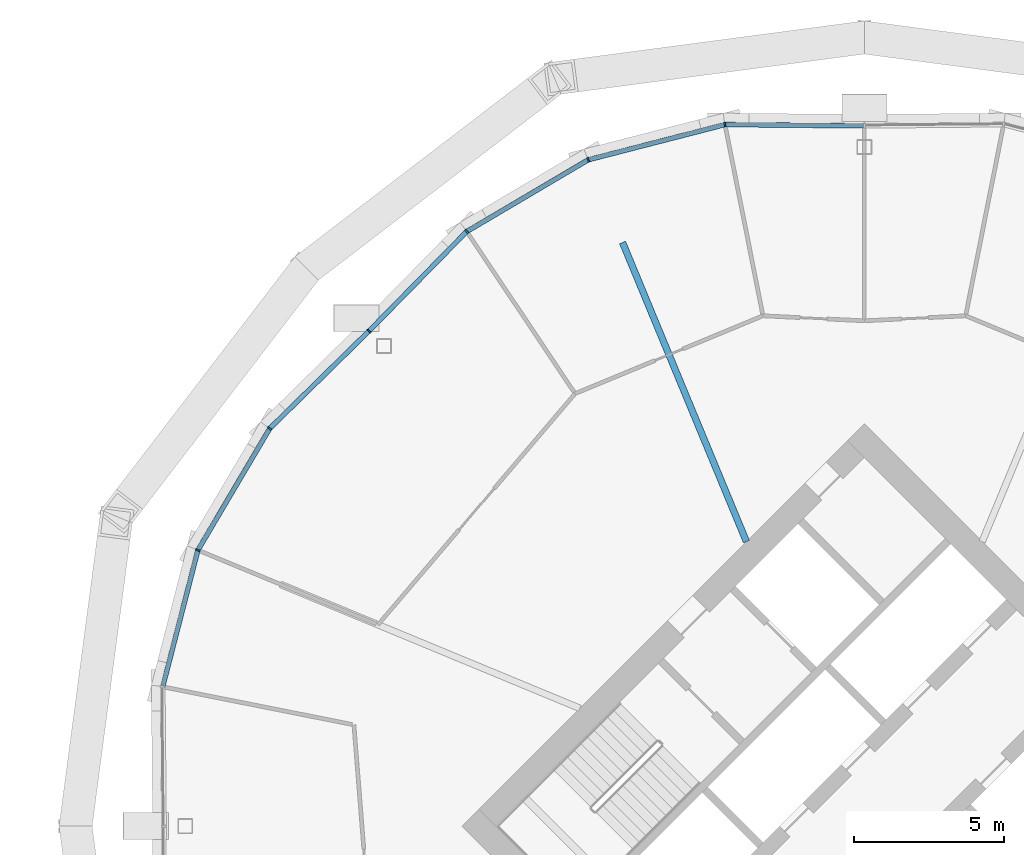
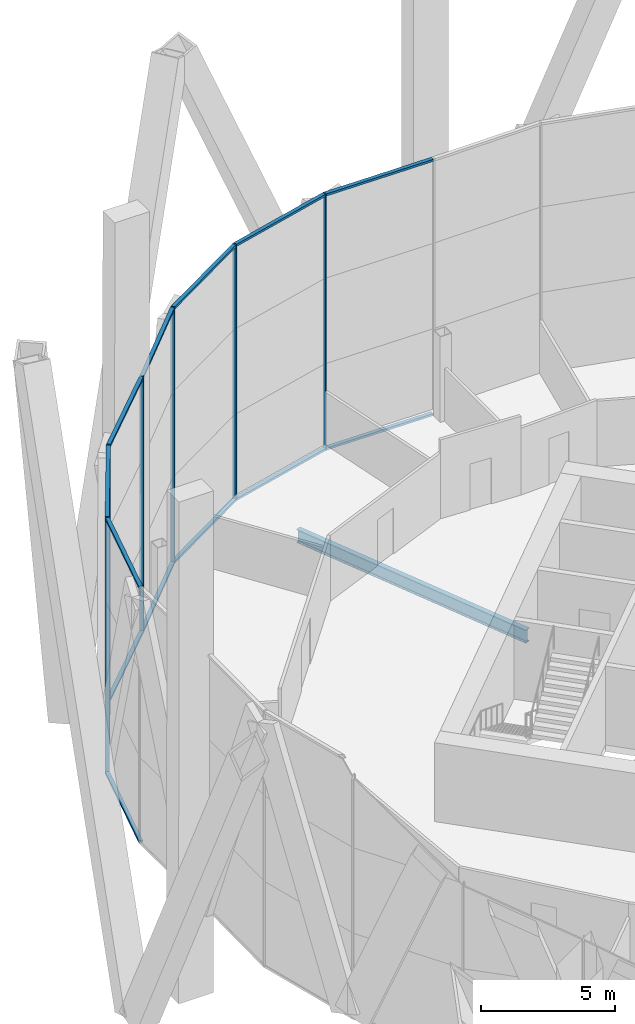
# One storey, part 13 of 26: 20 members, 1 beam, 2 elements without a shape of their own.
"""IFC4 building model written with IfcOpenShell, lengths in metres."""

from ifc_helpers import new_model, si_unit, direction, frame, origin, origin_2d, place, context, subcontext, project, spatial, rectangle, i_section, extrude, material, material_profile, profile_set, type_object, element, aggregate, save


model = new_model("IFC4")

# Units and contexts
model_context = context("Model", 3, precision=1e-05, world=origin(), true_north=direction((0.0, 1.0)))
body_context = subcontext(model_context, "Body", "Model", "MODEL_VIEW")
ifc_project = project(units=[si_unit("LENGTHUNIT", "METRE"), si_unit("AREAUNIT", "SQUARE_METRE"), si_unit("VOLUMEUNIT", "CUBIC_METRE"), si_unit("PLANEANGLEUNIT", "RADIAN"), si_unit("MASSUNIT", "GRAM", prefix="KILO")], contexts=[model_context])

# Site, building, storey
site_placement = place(None, origin())
site = spatial("IfcSite", under=ifc_project, at=site_placement, CompositionType="ELEMENT")
building_placement = place(site_placement, origin())
building = spatial("IfcBuilding", under=site, at=building_placement, Name="Ogive Gate Towers", CompositionType="ELEMENT")
storey_placement = place(building_placement, frame((0.0, 0.0, 76.199951171875)))
storey = spatial("IfcBuildingStorey", under=building, at=storey_placement, Name="L17", CompositionType="ELEMENT", Elevation=76.199951171875)

# Beam
ifc_material_1 = material(Name="Steel SM355", Category="steel")
ifc_material_profile_1 = material_profile(ifc_material_1, i_section(OverallWidth=0.219970703125, OverallDepth=0.60009765625, WebThickness=0.011962890625, FlangeThickness=0.01904296875, FilletRadius=0.02392578125, at=origin_2d()), Name="IPE 600")
ifc_profile_set_1 = profile_set([ifc_material_profile_1], Name="Steel SM355")
beam_type = type_object("IfcBeamType", Name="Radial floor beam IPE 600", PredefinedType="BEAM", material=ifc_profile_set_1)
beam_placement = place(storey_placement, frame((32.06494140625, 9.5, -0.599853515625), z_axis=(-0.382675609774, 0.923882772696, 0.0), x_axis=(-0.923882772696, -0.382675609774, 0.0)))
element("IfcBeam", 1, at=beam_placement, inside=storey, type_object=beam_type, Name="T2/L17/SBM006", PredefinedType="BEAM", context=body_context, shape_type="SweptSolid", body=[
    extrude(i_section(OverallWidth=0.219970703125, OverallDepth=0.60009765625, WebThickness=0.011962890625, FlangeThickness=0.01904296875, FilletRadius=0.02392578125, at=origin_2d()), origin(), (0.0, 0.0, 1.0), 10.809326171875),
])

# Curtain wall, members
ifc_material_2 = material(Name="Pale metal aluminium", Category="aluminium")
curtain_wall_type = type_object("IfcCurtainWallType", Name="Tower unitised wall, low zone", PredefinedType="NOTDEFINED", material=ifc_material_2)
curtain_wall_1_placement = place(storey_placement, origin())
curtain_wall_1 = element("IfcCurtainWall", 2, at=curtain_wall_1_placement, inside=storey, type_object=curtain_wall_type, Name="CW1 T2 ECW03", PredefinedType="NOTDEFINED")
ifc_material_profile_2 = material_profile(ifc_material_2, rectangle(XDim=0.159912109375, YDim=0.06005859375, at=origin_2d()), Name="60 x 160 aluminium box")
ifc_profile_set_2 = profile_set([ifc_material_profile_2], Name="Pale metal aluminium")
member_type_1 = type_object("IfcMemberType", Name="Tower unitised wall, low zone mullion 60 x 160", PredefinedType="MULLION", material=ifc_profile_set_2)
member_1_placement = place(storey_placement, frame((31.346923828125, 23.4228515625, -0.300048828125), z_axis=(0.0, 0.0, 1.0), x_axis=(-0.121141736398, 0.992635219858, 0.0)))
member_1 = element("IfcMember", 3, at=member_1_placement, type_object=member_type_1, Name="CW1 mullion", PredefinedType="MULLION", context=body_context, shape_type="SweptSolid", body=[
    extrude(rectangle(XDim=0.159912109375, YDim=0.06005859375, at=origin_2d()), origin(), (0.0, 0.0, 1.0), 11.7001953125),
])
member_2_placement = place(storey_placement, frame((26.78466796875, 22.247802734375, -0.300048828125), z_axis=(0.0, 0.0, 1.0), x_axis=(-0.382683432365, 0.923879532511, 0.0)))
member_2 = element("IfcMember", 4, at=member_2_placement, type_object=member_type_1, Name="CW1 mullion", PredefinedType="MULLION", context=body_context, shape_type="SweptSolid", body=[
    extrude(rectangle(XDim=0.159912109375, YDim=0.06005859375, at=origin_2d()), origin(), (0.0, 0.0, 1.0), 11.7001953125),
])
member_3_placement = place(storey_placement, frame((22.7275390625, 19.8525390625, -0.300048828125), z_axis=(0.0, 0.0, 1.0), x_axis=(-0.616238951915, 0.787559238498, 0.0)))
member_3 = element("IfcMember", 5, at=member_3_placement, type_object=member_type_1, Name="CW1 mullion", PredefinedType="MULLION", context=body_context, shape_type="SweptSolid", body=[
    extrude(rectangle(XDim=0.159912109375, YDim=0.06005859375, at=origin_2d()), origin(), (0.0, 0.0, 1.0), 11.7001953125),
])
member_4_placement = place(storey_placement, frame((19.468017578125, 16.5322265625, -0.300048828125), z_axis=(0.0, 0.0, 1.0), x_axis=(-0.713568438241, 0.700585529358, 0.0)))
member_4 = element("IfcMember", 6, at=member_4_placement, type_object=member_type_1, Name="CW1 mullion", PredefinedType="MULLION", context=body_context, shape_type="SweptSolid", body=[
    extrude(rectangle(XDim=0.159912109375, YDim=0.06005859375, at=origin_2d()), origin(), (0.0, 0.0, 1.0), 11.7001953125),
])

curtain_wall_2_placement = place(storey_placement, origin())
curtain_wall_2 = element("IfcCurtainWall", 7, at=curtain_wall_2_placement, inside=storey, type_object=curtain_wall_type, Name="CW1 T2 ECW04", PredefinedType="NOTDEFINED")
member_5_placement = place(storey_placement, frame((16.1474609375, 13.2724609375, -0.300048828125), z_axis=(0.0, 0.0, 1.0), x_axis=(-0.787559238498, 0.616238951915, 0.0)))
member_5 = element("IfcMember", 8, at=member_5_placement, type_object=member_type_1, Name="CW1 mullion", PredefinedType="MULLION", context=body_context, shape_type="SweptSolid", body=[
    extrude(rectangle(XDim=0.159912109375, YDim=0.06005859375, at=origin_2d()), origin(), (0.0, 0.0, 1.0), 11.7001953125),
])
member_6_placement = place(storey_placement, frame((13.752197265625, 9.21533203125, -0.300048828125), z_axis=(0.0, 0.0, 1.0), x_axis=(-0.923879532511, 0.382683432365, 0.0)))
member_6 = element("IfcMember", 9, at=member_6_placement, type_object=member_type_1, Name="CW1 mullion", PredefinedType="MULLION", context=body_context, shape_type="SweptSolid", body=[
    extrude(rectangle(XDim=0.159912109375, YDim=0.06005859375, at=origin_2d()), origin(), (0.0, 0.0, 1.0), 11.7001953125),
])

# Member
ifc_material_profile_3 = material_profile(ifc_material_2, rectangle(XDim=0.159912109375, YDim=0.10009765625, at=origin_2d()), Name="100 x 160 aluminium box")
ifc_profile_set_3 = profile_set([ifc_material_profile_3], Name="Pale metal aluminium")
member_type_2 = type_object("IfcMemberType", Name="Tower unitised wall, low zone transom 100 x 160", PredefinedType="USERDEFINED", material=ifc_profile_set_3)
member_7_placement = place(storey_placement, frame((35.9697265625, 23.38037109375, 11.35009765625), z_axis=(-0.999957762018, 0.009190983574, 0.0), x_axis=(-0.009190983574, -0.999957762018, 0.0)))
member_7 = element("IfcMember", 10, at=member_7_placement, type_object=member_type_2, Name="CW1 transom", ObjectType="TRANSOM", PredefinedType="USERDEFINED", context=body_context, shape_type="SweptSolid", body=[
    extrude(rectangle(XDim=0.159912109375, YDim=0.10009765625, at=origin_2d()), origin(), (0.0, 0.0, 1.0), 4.595458984375),
])

member_8_placement = place(storey_placement, frame((35.9697265625, 23.38037109375, -0.25), z_axis=(-0.999957762018, 0.009190983574, 0.0), x_axis=(-0.009190983574, -0.999957762018, 0.0)))
member_8 = element("IfcMember", 11, at=member_8_placement, type_object=member_type_2, Name="CW1 transom", ObjectType="TRANSOM", PredefinedType="USERDEFINED", context=body_context, shape_type="SweptSolid", body=[
    extrude(rectangle(XDim=0.159912109375, YDim=0.10009765625, at=origin_2d()), origin(), (0.0, 0.0, 1.0), 4.595458984375),
])

member_9_placement = place(storey_placement, frame((31.320556640625, 23.416015625, 11.35009765625), z_axis=(-0.968390972422, -0.249437215612, 0.0), x_axis=(0.249437215612, -0.968390972422, 0.0)))
member_9 = element("IfcMember", 12, at=member_9_placement, type_object=member_type_2, Name="CW1 transom", ObjectType="TRANSOM", PredefinedType="USERDEFINED", context=body_context, shape_type="SweptSolid", body=[
    extrude(rectangle(XDim=0.159912109375, YDim=0.10009765625, at=origin_2d()), origin(), (0.0, 0.0, 1.0), 4.656982421875),
])

member_10_placement = place(storey_placement, frame((31.320556640625, 23.416015625, -0.25), z_axis=(-0.968390972422, -0.249437215612, 0.0), x_axis=(0.249437215612, -0.968390972422, 0.0)))
member_10 = element("IfcMember", 13, at=member_10_placement, type_object=member_type_2, Name="CW1 transom", ObjectType="TRANSOM", PredefinedType="USERDEFINED", context=body_context, shape_type="SweptSolid", body=[
    extrude(rectangle(XDim=0.159912109375, YDim=0.10009765625, at=origin_2d()), origin(), (0.0, 0.0, 1.0), 4.656982421875),
])

member_11_placement = place(storey_placement, frame((26.76123046875, 22.23388671875, 11.35009765625), z_axis=(-0.861125816028, -0.508391904902, 0.0), x_axis=(0.508391904902, -0.861125816028, 0.0)))
member_11 = element("IfcMember", 14, at=member_11_placement, type_object=member_type_2, Name="CW1 transom", ObjectType="TRANSOM", PredefinedType="USERDEFINED", context=body_context, shape_type="SweptSolid", body=[
    extrude(rectangle(XDim=0.159912109375, YDim=0.10009765625, at=origin_2d()), origin(), (0.0, 0.0, 1.0), 4.65673828125),
])

member_12_placement = place(storey_placement, frame((26.76123046875, 22.23388671875, -0.25), z_axis=(-0.861125816028, -0.508391904902, 0.0), x_axis=(0.508391904902, -0.861125816028, 0.0)))
member_12 = element("IfcMember", 15, at=member_12_placement, type_object=member_type_2, Name="CW1 transom", ObjectType="TRANSOM", PredefinedType="USERDEFINED", context=body_context, shape_type="SweptSolid", body=[
    extrude(rectangle(XDim=0.159912109375, YDim=0.10009765625, at=origin_2d()), origin(), (0.0, 0.0, 1.0), 4.65673828125),
])

member_13_placement = place(storey_placement, frame((22.70849609375, 19.8330078125, 11.35009765625), z_axis=(-0.700568931342, -0.713584733888, 0.0), x_axis=(0.713584733888, -0.700568931342, 0.0)))
member_13 = element("IfcMember", 16, at=member_13_placement, type_object=member_type_2, Name="CW1 transom", ObjectType="TRANSOM", PredefinedType="USERDEFINED", context=body_context, shape_type="SweptSolid", body=[
    extrude(rectangle(XDim=0.159912109375, YDim=0.10009765625, at=origin_2d()), origin(), (0.0, 0.0, 1.0), 4.595458984375),
])

member_14_placement = place(storey_placement, frame((22.70849609375, 19.8330078125, -0.25), z_axis=(-0.700568931342, -0.713584733888, 0.0), x_axis=(0.713584733888, -0.700568931342, 0.0)))
member_14 = element("IfcMember", 17, at=member_14_placement, type_object=member_type_2, Name="CW1 transom", ObjectType="TRANSOM", PredefinedType="USERDEFINED", context=body_context, shape_type="SweptSolid", body=[
    extrude(rectangle(XDim=0.159912109375, YDim=0.10009765625, at=origin_2d()), origin(), (0.0, 0.0, 1.0), 4.595458984375),
])

aggregate(curtain_wall_1, [member_1, member_7, member_8, member_2, member_9, member_10, member_3, member_11, member_12, member_4, member_13, member_14])

member_15_placement = place(storey_placement, frame((19.4462890625, 16.510986328125, 11.35009765625), z_axis=(-0.713584733888, -0.700568931342, 0.0), x_axis=(0.700568931342, -0.713584733888, 0.0)))
member_15 = element("IfcMember", 18, at=member_15_placement, type_object=member_type_2, Name="CW1 transom", ObjectType="TRANSOM", PredefinedType="USERDEFINED", context=body_context, shape_type="SweptSolid", body=[
    extrude(rectangle(XDim=0.159912109375, YDim=0.10009765625, at=origin_2d()), origin(), (0.0, 0.0, 1.0), 4.595458984375),
])

member_16_placement = place(storey_placement, frame((19.4462890625, 16.510986328125, -0.25), z_axis=(-0.713584733888, -0.700568931342, 0.0), x_axis=(0.700568931342, -0.713584733888, 0.0)))
member_16 = element("IfcMember", 19, at=member_16_placement, type_object=member_type_2, Name="CW1 transom", ObjectType="TRANSOM", PredefinedType="USERDEFINED", context=body_context, shape_type="SweptSolid", body=[
    extrude(rectangle(XDim=0.159912109375, YDim=0.10009765625, at=origin_2d()), origin(), (0.0, 0.0, 1.0), 4.595458984375),
])

member_17_placement = place(storey_placement, frame((16.133544921875, 13.248779296875, 11.35009765625), z_axis=(-0.508391904902, -0.861125816028, 0.0), x_axis=(0.861125816028, -0.508391904902, 0.0)))
member_17 = element("IfcMember", 20, at=member_17_placement, type_object=member_type_2, Name="CW1 transom", ObjectType="TRANSOM", PredefinedType="USERDEFINED", context=body_context, shape_type="SweptSolid", body=[
    extrude(rectangle(XDim=0.159912109375, YDim=0.10009765625, at=origin_2d()), origin(), (0.0, 0.0, 1.0), 4.65673828125),
])

member_18_placement = place(storey_placement, frame((16.133544921875, 13.248779296875, -0.25), z_axis=(-0.508391904902, -0.861125816028, 0.0), x_axis=(0.861125816028, -0.508391904902, 0.0)))
member_18 = element("IfcMember", 21, at=member_18_placement, type_object=member_type_2, Name="CW1 transom", ObjectType="TRANSOM", PredefinedType="USERDEFINED", context=body_context, shape_type="SweptSolid", body=[
    extrude(rectangle(XDim=0.159912109375, YDim=0.10009765625, at=origin_2d()), origin(), (0.0, 0.0, 1.0), 4.65673828125),
])

member_19_placement = place(storey_placement, frame((13.74560546875, 9.189208984375, 11.35009765625), z_axis=(-0.249437215612, -0.968390972422, 0.0), x_axis=(0.968390972422, -0.249437215612, 0.0)))
member_19 = element("IfcMember", 22, at=member_19_placement, type_object=member_type_2, Name="CW1 transom", ObjectType="TRANSOM", PredefinedType="USERDEFINED", context=body_context, shape_type="SweptSolid", body=[
    extrude(rectangle(XDim=0.159912109375, YDim=0.10009765625, at=origin_2d()), origin(), (0.0, 0.0, 1.0), 4.656982421875),
])

member_20_placement = place(storey_placement, frame((13.74560546875, 9.189208984375, -0.25), z_axis=(-0.249437215612, -0.968390972422, 0.0), x_axis=(0.968390972422, -0.249437215612, 0.0)))
member_20 = element("IfcMember", 23, at=member_20_placement, type_object=member_type_2, Name="CW1 transom", ObjectType="TRANSOM", PredefinedType="USERDEFINED", context=body_context, shape_type="SweptSolid", body=[
    extrude(rectangle(XDim=0.159912109375, YDim=0.10009765625, at=origin_2d()), origin(), (0.0, 0.0, 1.0), 4.656982421875),
])

aggregate(curtain_wall_2, [member_5, member_15, member_16, member_6, member_17, member_18, member_19, member_20])

save(model, "model.ifc")
